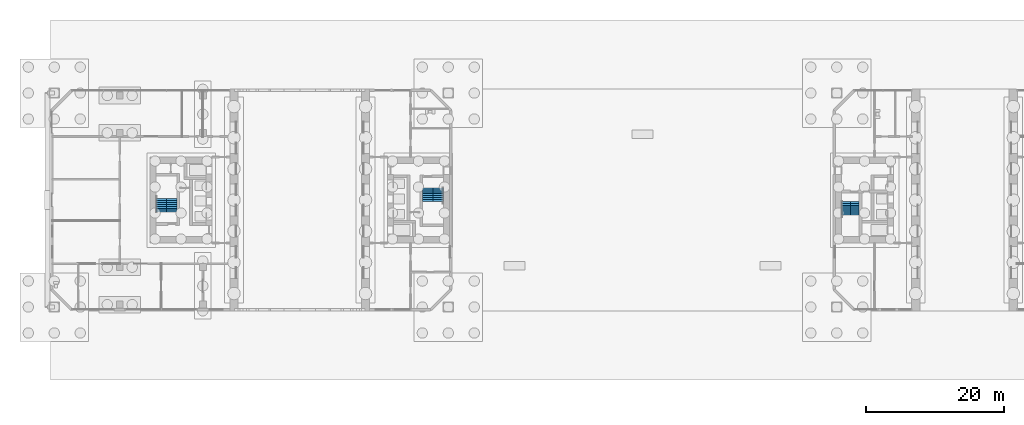
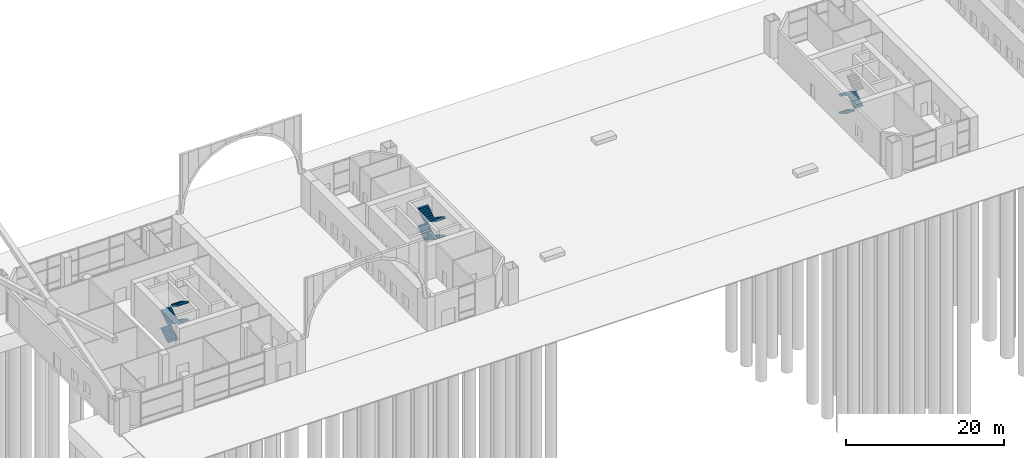
# One storey, part 21 of 26: 11 stair flights, 3 elements without a shape of their own.
"""IFC4 building model written with IfcOpenShell, lengths in metres."""

from ifc_helpers import new_model, si_unit, direction, frame, origin, place, context, subcontext, project, spatial, faceted_brep, material, type_object, element, aggregate, save


model = new_model("IFC4")

# Units and contexts
model_context = context("Model", 3, precision=1e-05, world=origin(), true_north=direction((0.0, 1.0)))
body_context = subcontext(model_context, "Body", "Model", "MODEL_VIEW")
ifc_project = project(units=[si_unit("LENGTHUNIT", "METRE"), si_unit("AREAUNIT", "SQUARE_METRE"), si_unit("VOLUMEUNIT", "CUBIC_METRE"), si_unit("PLANEANGLEUNIT", "RADIAN"), si_unit("MASSUNIT", "GRAM", prefix="KILO")], contexts=[model_context])

# Site, building, storey
site_placement = place(None, origin())
site = spatial("IfcSite", under=ifc_project, at=site_placement, CompositionType="ELEMENT")
building_placement = place(site_placement, origin())
building = spatial("IfcBuilding", under=site, at=building_placement, Name="Tuart Gate Housing", CompositionType="ELEMENT")
storey_placement = place(building_placement, origin())
storey = spatial("IfcBuildingStorey", under=building, at=storey_placement, Name="L00", CompositionType="ELEMENT", Elevation=0.0)

# Stair, stair flights
ifc_material_1 = material(Name="Concrete C40", Category="concrete")
stair_type_1 = type_object("IfcStairType", Name="Core stair 1250", PredefinedType="HALF_TURN_STAIR", material=ifc_material_1)
stair_1_placement = place(storey_placement, origin())
stair_1 = element("IfcStair", 1, at=stair_1_placement, inside=storey, type_object=stair_type_1, Name="Stair SB1", PredefinedType="HALF_TURN_STAIR")
ifc_material_2 = material(Name="Concrete C40", Category="concrete")
stair_flight_type_1 = type_object("IfcStairFlightType", Name="Stair flight 1250, 8 risers 172 x 280", PredefinedType="STRAIGHT", material=ifc_material_2)
stair_flight_1_placement = place(storey_placement, frame((132.885009765625, 69.800048828125, 0.0), z_axis=(0.0, 0.0, 1.0), x_axis=(0.0, -1.0, 0.0)))
stair_flight_1 = element("IfcStairFlight", 2, at=stair_flight_1_placement, type_object=stair_flight_type_1, Name="SB1 flight 1", NumberOfRisers=8, NumberOfTreads=7, PredefinedType="STRAIGHT", RiserHeight=0.171875, TreadLength=0.28, context=body_context, shape_type="Brep", body=[
    faceted_brep([(0.0, 0.625, 0.0), (0.0, 0.625, 0.171875), (0.280029296875, 0.625, 0.171875), (0.280029296875, 0.625, 0.34375), (0.56005859375, 0.625, 0.34375), (0.56005859375, 0.625, 0.515625), (0.840087890625, 0.625, 0.515625), (0.840087890625, 0.625, 0.6875), (1.1201171875, 0.625, 0.6875), (1.1201171875, 0.625, 0.859375), (1.39990234375, 0.625, 0.859375), (1.39990234375, 0.625, 1.03125), (1.679931640625, 0.625, 1.03125), (1.679931640625, 0.625, 1.203125), (1.9599609375, 0.625, 1.203125), (1.9599609375, 0.625, 1.02734375), (0.28662109375, 0.625, 0.0), (0.28662109375, -0.625, 0.0), (1.9599609375, -0.625, 1.02734375), (1.9599609375, -0.625, 1.203125), (1.679931640625, -0.625, 1.203125), (1.679931640625, -0.625, 1.03125), (1.39990234375, -0.625, 1.03125), (1.39990234375, -0.625, 0.859375), (1.1201171875, -0.625, 0.859375), (1.1201171875, -0.625, 0.6875), (0.840087890625, -0.625, 0.6875), (0.840087890625, -0.625, 0.515625), (0.56005859375, -0.625, 0.515625), (0.56005859375, -0.625, 0.34375), (0.280029296875, -0.625, 0.34375), (0.280029296875, -0.625, 0.171875), (0.0, -0.625, 0.171875), (0.0, -0.625, 0.0), (1.9599609375, 0.0, 1.02734375), (0.28662109375, 0.0, 0.0), (1.9599609375, 0.0, 1.203125), (1.679931640625, 0.0, 1.203125), (1.679931640625, 0.0, 1.03125), (1.39990234375, 0.0, 1.03125), (1.39990234375, 0.0, 0.859375), (1.1201171875, 0.0, 0.859375), (1.1201171875, 0.0, 0.6875), (0.840087890625, 0.0, 0.6875), (0.840087890625, 0.0, 0.515625), (0.56005859375, 0.0, 0.515625), (0.56005859375, 0.0, 0.34375), (0.280029296875, 0.0, 0.34375), (0.280029296875, 0.0, 0.171875), (0.0, 0.0, 0.171875), (0.0, 0.0, 0.0)], [[[0, 1, 2, 3, 4, 5, 6, 7, 8, 9, 10, 11, 12, 13, 14, 15, 16]], [[17, 18, 19, 20, 21, 22, 23, 24, 25, 26, 27, 28, 29, 30, 31, 32, 33]], [[16, 15, 34, 35]], [[35, 34, 18, 17]], [[15, 14, 36, 34]], [[34, 36, 19, 18]], [[14, 13, 37, 36]], [[36, 37, 20, 19]], [[13, 12, 38, 37]], [[37, 38, 21, 20]], [[12, 11, 39, 38]], [[38, 39, 22, 21]], [[11, 10, 40, 39]], [[39, 40, 23, 22]], [[10, 9, 41, 40]], [[40, 41, 24, 23]], [[9, 8, 42, 41]], [[41, 42, 25, 24]], [[8, 7, 43, 42]], [[42, 43, 26, 25]], [[7, 6, 44, 43]], [[43, 44, 27, 26]], [[6, 5, 45, 44]], [[44, 45, 28, 27]], [[5, 4, 46, 45]], [[45, 46, 29, 28]], [[4, 3, 47, 46]], [[46, 47, 30, 29]], [[3, 2, 48, 47]], [[47, 48, 31, 30]], [[2, 1, 49, 48]], [[48, 49, 32, 31]], [[1, 0, 50, 49]], [[49, 50, 33, 32]], [[0, 16, 35, 50]], [[50, 35, 17, 33]]]),
])
stair_flight_2_placement = place(storey_placement, frame((134.135009765625, 67.840087890625, 1.375), z_axis=(0.0, 0.0, 1.0), x_axis=(0.0, 1.0, 0.0)))
stair_flight_2 = element("IfcStairFlight", 3, at=stair_flight_2_placement, type_object=stair_flight_type_1, Name="SB1 flight 2", NumberOfRisers=8, NumberOfTreads=7, PredefinedType="STRAIGHT", RiserHeight=0.171875, TreadLength=0.28, context=body_context, shape_type="Brep", body=[
    faceted_brep([(0.0, 0.625, 0.0), (0.0, 0.625, 0.171875), (0.280029296875, 0.625, 0.171875), (0.280029296875, 0.625, 0.34375), (0.56005859375, 0.625, 0.34375), (0.56005859375, 0.625, 0.515625), (0.840087890625, 0.625, 0.515625), (0.840087890625, 0.625, 0.6875), (1.1201171875, 0.625, 0.6875), (1.1201171875, 0.625, 0.859375), (1.39990234375, 0.625, 0.859375), (1.39990234375, 0.625, 1.03125), (1.679931640625, 0.625, 1.03125), (1.679931640625, 0.625, 1.203125), (1.9599609375, 0.625, 1.203125), (1.9599609375, 0.625, 1.02734375), (0.28662109375, 0.625, 0.0), (0.28662109375, -0.625, 0.0), (1.9599609375, -0.625, 1.02734375), (1.9599609375, -0.625, 1.203125), (1.679931640625, -0.625, 1.203125), (1.679931640625, -0.625, 1.03125), (1.39990234375, -0.625, 1.03125), (1.39990234375, -0.625, 0.859375), (1.1201171875, -0.625, 0.859375), (1.1201171875, -0.625, 0.6875), (0.840087890625, -0.625, 0.6875), (0.840087890625, -0.625, 0.515625), (0.56005859375, -0.625, 0.515625), (0.56005859375, -0.625, 0.34375), (0.280029296875, -0.625, 0.34375), (0.280029296875, -0.625, 0.171875), (0.0, -0.625, 0.171875), (0.0, -0.625, 0.0), (1.9599609375, 0.0, 1.02734375), (0.28662109375, 0.0, 0.0), (1.9599609375, 0.0, 1.203125), (1.679931640625, 0.0, 1.203125), (1.679931640625, 0.0, 1.03125), (1.39990234375, 0.0, 1.03125), (1.39990234375, 0.0, 0.859375), (1.1201171875, 0.0, 0.859375), (1.1201171875, 0.0, 0.6875), (0.840087890625, 0.0, 0.6875), (0.840087890625, 0.0, 0.515625), (0.56005859375, 0.0, 0.515625), (0.56005859375, 0.0, 0.34375), (0.280029296875, 0.0, 0.34375), (0.280029296875, 0.0, 0.171875), (0.0, 0.0, 0.171875), (0.0, 0.0, 0.0)], [[[0, 1, 2, 3, 4, 5, 6, 7, 8, 9, 10, 11, 12, 13, 14, 15, 16]], [[17, 18, 19, 20, 21, 22, 23, 24, 25, 26, 27, 28, 29, 30, 31, 32, 33]], [[16, 15, 34, 35]], [[35, 34, 18, 17]], [[15, 14, 36, 34]], [[34, 36, 19, 18]], [[14, 13, 37, 36]], [[36, 37, 20, 19]], [[13, 12, 38, 37]], [[37, 38, 21, 20]], [[12, 11, 39, 38]], [[38, 39, 22, 21]], [[11, 10, 40, 39]], [[39, 40, 23, 22]], [[10, 9, 41, 40]], [[40, 41, 24, 23]], [[9, 8, 42, 41]], [[41, 42, 25, 24]], [[8, 7, 43, 42]], [[42, 43, 26, 25]], [[7, 6, 44, 43]], [[43, 44, 27, 26]], [[6, 5, 45, 44]], [[44, 45, 28, 27]], [[5, 4, 46, 45]], [[45, 46, 29, 28]], [[4, 3, 47, 46]], [[46, 47, 30, 29]], [[3, 2, 48, 47]], [[47, 48, 31, 30]], [[2, 1, 49, 48]], [[48, 49, 32, 31]], [[1, 0, 50, 49]], [[49, 50, 33, 32]], [[0, 16, 35, 50]], [[50, 35, 17, 33]]]),
])
stair_flight_3_placement = place(storey_placement, frame((132.885009765625, 69.800048828125, 2.75), z_axis=(0.0, 0.0, 1.0), x_axis=(0.0, -1.0, 0.0)))
stair_flight_3 = element("IfcStairFlight", 4, at=stair_flight_3_placement, type_object=stair_flight_type_1, Name="SB1 flight 3", NumberOfRisers=8, NumberOfTreads=7, PredefinedType="STRAIGHT", RiserHeight=0.171875, TreadLength=0.28, context=body_context, shape_type="Brep", body=[
    faceted_brep([(0.0, 0.625, 0.0), (0.0, 0.625, 0.171875), (0.280029296875, 0.625, 0.171875), (0.280029296875, 0.625, 0.34375), (0.56005859375, 0.625, 0.34375), (0.56005859375, 0.625, 0.515625), (0.840087890625, 0.625, 0.515625), (0.840087890625, 0.625, 0.6875), (1.1201171875, 0.625, 0.6875), (1.1201171875, 0.625, 0.859375), (1.39990234375, 0.625, 0.859375), (1.39990234375, 0.625, 1.03125), (1.679931640625, 0.625, 1.03125), (1.679931640625, 0.625, 1.203125), (1.9599609375, 0.625, 1.203125), (1.9599609375, 0.625, 1.02734375), (0.28662109375, 0.625, 0.0), (0.28662109375, -0.625, 0.0), (1.9599609375, -0.625, 1.02734375), (1.9599609375, -0.625, 1.203125), (1.679931640625, -0.625, 1.203125), (1.679931640625, -0.625, 1.03125), (1.39990234375, -0.625, 1.03125), (1.39990234375, -0.625, 0.859375), (1.1201171875, -0.625, 0.859375), (1.1201171875, -0.625, 0.6875), (0.840087890625, -0.625, 0.6875), (0.840087890625, -0.625, 0.515625), (0.56005859375, -0.625, 0.515625), (0.56005859375, -0.625, 0.34375), (0.280029296875, -0.625, 0.34375), (0.280029296875, -0.625, 0.171875), (0.0, -0.625, 0.171875), (0.0, -0.625, 0.0), (1.9599609375, 0.0, 1.02734375), (0.28662109375, 0.0, 0.0), (1.9599609375, 0.0, 1.203125), (1.679931640625, 0.0, 1.203125), (1.679931640625, 0.0, 1.03125), (1.39990234375, 0.0, 1.03125), (1.39990234375, 0.0, 0.859375), (1.1201171875, 0.0, 0.859375), (1.1201171875, 0.0, 0.6875), (0.840087890625, 0.0, 0.6875), (0.840087890625, 0.0, 0.515625), (0.56005859375, 0.0, 0.515625), (0.56005859375, 0.0, 0.34375), (0.280029296875, 0.0, 0.34375), (0.280029296875, 0.0, 0.171875), (0.0, 0.0, 0.171875), (0.0, 0.0, 0.0)], [[[0, 1, 2, 3, 4, 5, 6, 7, 8, 9, 10, 11, 12, 13, 14, 15, 16]], [[17, 18, 19, 20, 21, 22, 23, 24, 25, 26, 27, 28, 29, 30, 31, 32, 33]], [[16, 15, 34, 35]], [[35, 34, 18, 17]], [[15, 14, 36, 34]], [[34, 36, 19, 18]], [[14, 13, 37, 36]], [[36, 37, 20, 19]], [[13, 12, 38, 37]], [[37, 38, 21, 20]], [[12, 11, 39, 38]], [[38, 39, 22, 21]], [[11, 10, 40, 39]], [[39, 40, 23, 22]], [[10, 9, 41, 40]], [[40, 41, 24, 23]], [[9, 8, 42, 41]], [[41, 42, 25, 24]], [[8, 7, 43, 42]], [[42, 43, 26, 25]], [[7, 6, 44, 43]], [[43, 44, 27, 26]], [[6, 5, 45, 44]], [[44, 45, 28, 27]], [[5, 4, 46, 45]], [[45, 46, 29, 28]], [[4, 3, 47, 46]], [[46, 47, 30, 29]], [[3, 2, 48, 47]], [[47, 48, 31, 30]], [[2, 1, 49, 48]], [[48, 49, 32, 31]], [[1, 0, 50, 49]], [[49, 50, 33, 32]], [[0, 16, 35, 50]], [[50, 35, 17, 33]]]),
])
aggregate(stair_1, [stair_flight_1, stair_flight_2, stair_flight_3])

ifc_material_3 = material(Name="Concrete C40", Category="concrete")
stair_type_2 = type_object("IfcStairType", Name="Core stair 1500", PredefinedType="HALF_TURN_STAIR", material=ifc_material_3)
stair_2_placement = place(storey_placement, origin())
stair_2 = element("IfcStair", 5, at=stair_2_placement, inside=storey, type_object=stair_type_2, Name="Stair SA1", PredefinedType="HALF_TURN_STAIR")
ifc_material_4 = material(Name="Concrete C40", Category="concrete")
stair_flight_type_2 = type_object("IfcStairFlightType", Name="Stair flight 1500, 8 risers 172 x 280", PredefinedType="STRAIGHT", material=ifc_material_4)
stair_flight_4_placement = place(storey_placement, frame((73.989990234375, 71.75, 0.0), z_axis=(0.0, 0.0, 1.0), x_axis=(0.0, -1.0, 0.0)))
stair_flight_4 = element("IfcStairFlight", 6, at=stair_flight_4_placement, type_object=stair_flight_type_2, Name="SA1 flight 1", NumberOfRisers=8, NumberOfTreads=7, PredefinedType="STRAIGHT", RiserHeight=0.171875, TreadLength=0.28, context=body_context, shape_type="Brep", body=[
    faceted_brep([(0.0, 0.75, 0.0), (0.0, 0.75, 0.171875), (0.280029296875, 0.75, 0.171875), (0.280029296875, 0.75, 0.34375), (0.56005859375, 0.75, 0.34375), (0.56005859375, 0.75, 0.515625), (0.840087890625, 0.75, 0.515625), (0.840087890625, 0.75, 0.6875), (1.1201171875, 0.75, 0.6875), (1.1201171875, 0.75, 0.859375), (1.39990234375, 0.75, 0.859375), (1.39990234375, 0.75, 1.03125), (1.679931640625, 0.75, 1.03125), (1.679931640625, 0.75, 1.203125), (1.9599609375, 0.75, 1.203125), (1.9599609375, 0.75, 1.02734375), (0.28662109375, 0.75, 0.0), (0.28662109375, -0.75, 0.0), (1.9599609375, -0.75, 1.02734375), (1.9599609375, -0.75, 1.203125), (1.679931640625, -0.75, 1.203125), (1.679931640625, -0.75, 1.03125), (1.39990234375, -0.75, 1.03125), (1.39990234375, -0.75, 0.859375), (1.1201171875, -0.75, 0.859375), (1.1201171875, -0.75, 0.6875), (0.840087890625, -0.75, 0.6875), (0.840087890625, -0.75, 0.515625), (0.56005859375, -0.75, 0.515625), (0.56005859375, -0.75, 0.34375), (0.280029296875, -0.75, 0.34375), (0.280029296875, -0.75, 0.171875), (0.0, -0.75, 0.171875), (0.0, -0.75, 0.0), (1.9599609375, 0.0, 1.02734375), (0.28662109375, 0.0, 0.0), (1.9599609375, 0.0, 1.203125), (1.679931640625, 0.0, 1.203125), (1.679931640625, 0.0, 1.03125), (1.39990234375, 0.0, 1.03125), (1.39990234375, 0.0, 0.859375), (1.1201171875, 0.0, 0.859375), (1.1201171875, 0.0, 0.6875), (0.840087890625, 0.0, 0.6875), (0.840087890625, 0.0, 0.515625), (0.56005859375, 0.0, 0.515625), (0.56005859375, 0.0, 0.34375), (0.280029296875, 0.0, 0.34375), (0.280029296875, 0.0, 0.171875), (0.0, 0.0, 0.171875), (0.0, 0.0, 0.0)], [[[0, 1, 2, 3, 4, 5, 6, 7, 8, 9, 10, 11, 12, 13, 14, 15, 16]], [[17, 18, 19, 20, 21, 22, 23, 24, 25, 26, 27, 28, 29, 30, 31, 32, 33]], [[16, 15, 34, 35]], [[35, 34, 18, 17]], [[15, 14, 36, 34]], [[34, 36, 19, 18]], [[14, 13, 37, 36]], [[36, 37, 20, 19]], [[13, 12, 38, 37]], [[37, 38, 21, 20]], [[12, 11, 39, 38]], [[38, 39, 22, 21]], [[11, 10, 40, 39]], [[39, 40, 23, 22]], [[10, 9, 41, 40]], [[40, 41, 24, 23]], [[9, 8, 42, 41]], [[41, 42, 25, 24]], [[8, 7, 43, 42]], [[42, 43, 26, 25]], [[7, 6, 44, 43]], [[43, 44, 27, 26]], [[6, 5, 45, 44]], [[44, 45, 28, 27]], [[5, 4, 46, 45]], [[45, 46, 29, 28]], [[4, 3, 47, 46]], [[46, 47, 30, 29]], [[3, 2, 48, 47]], [[47, 48, 31, 30]], [[2, 1, 49, 48]], [[48, 49, 32, 31]], [[1, 0, 50, 49]], [[49, 50, 33, 32]], [[0, 16, 35, 50]], [[50, 35, 17, 33]]]),
])
stair_flight_5_placement = place(storey_placement, frame((72.489990234375, 69.7900390625, 1.375), z_axis=(0.0, 0.0, 1.0), x_axis=(0.0, 1.0, 0.0)))
stair_flight_5 = element("IfcStairFlight", 7, at=stair_flight_5_placement, type_object=stair_flight_type_2, Name="SA1 flight 2", NumberOfRisers=8, NumberOfTreads=7, PredefinedType="STRAIGHT", RiserHeight=0.171875, TreadLength=0.28, context=body_context, shape_type="Brep", body=[
    faceted_brep([(0.0, 0.75, 0.0), (0.0, 0.75, 0.171875), (0.280029296875, 0.75, 0.171875), (0.280029296875, 0.75, 0.34375), (0.56005859375, 0.75, 0.34375), (0.56005859375, 0.75, 0.515625), (0.840087890625, 0.75, 0.515625), (0.840087890625, 0.75, 0.6875), (1.1201171875, 0.75, 0.6875), (1.1201171875, 0.75, 0.859375), (1.39990234375, 0.75, 0.859375), (1.39990234375, 0.75, 1.03125), (1.679931640625, 0.75, 1.03125), (1.679931640625, 0.75, 1.203125), (1.9599609375, 0.75, 1.203125), (1.9599609375, 0.75, 1.02734375), (0.28662109375, 0.75, 0.0), (0.28662109375, -0.75, 0.0), (1.9599609375, -0.75, 1.02734375), (1.9599609375, -0.75, 1.203125), (1.679931640625, -0.75, 1.203125), (1.679931640625, -0.75, 1.03125), (1.39990234375, -0.75, 1.03125), (1.39990234375, -0.75, 0.859375), (1.1201171875, -0.75, 0.859375), (1.1201171875, -0.75, 0.6875), (0.840087890625, -0.75, 0.6875), (0.840087890625, -0.75, 0.515625), (0.56005859375, -0.75, 0.515625), (0.56005859375, -0.75, 0.34375), (0.280029296875, -0.75, 0.34375), (0.280029296875, -0.75, 0.171875), (0.0, -0.75, 0.171875), (0.0, -0.75, 0.0), (1.9599609375, 0.0, 1.02734375), (0.28662109375, 0.0, 0.0), (1.9599609375, 0.0, 1.203125), (1.679931640625, 0.0, 1.203125), (1.679931640625, 0.0, 1.03125), (1.39990234375, 0.0, 1.03125), (1.39990234375, 0.0, 0.859375), (1.1201171875, 0.0, 0.859375), (1.1201171875, 0.0, 0.6875), (0.840087890625, 0.0, 0.6875), (0.840087890625, 0.0, 0.515625), (0.56005859375, 0.0, 0.515625), (0.56005859375, 0.0, 0.34375), (0.280029296875, 0.0, 0.34375), (0.280029296875, 0.0, 0.171875), (0.0, 0.0, 0.171875), (0.0, 0.0, 0.0)], [[[0, 1, 2, 3, 4, 5, 6, 7, 8, 9, 10, 11, 12, 13, 14, 15, 16]], [[17, 18, 19, 20, 21, 22, 23, 24, 25, 26, 27, 28, 29, 30, 31, 32, 33]], [[16, 15, 34, 35]], [[35, 34, 18, 17]], [[15, 14, 36, 34]], [[34, 36, 19, 18]], [[14, 13, 37, 36]], [[36, 37, 20, 19]], [[13, 12, 38, 37]], [[37, 38, 21, 20]], [[12, 11, 39, 38]], [[38, 39, 22, 21]], [[11, 10, 40, 39]], [[39, 40, 23, 22]], [[10, 9, 41, 40]], [[40, 41, 24, 23]], [[9, 8, 42, 41]], [[41, 42, 25, 24]], [[8, 7, 43, 42]], [[42, 43, 26, 25]], [[7, 6, 44, 43]], [[43, 44, 27, 26]], [[6, 5, 45, 44]], [[44, 45, 28, 27]], [[5, 4, 46, 45]], [[45, 46, 29, 28]], [[4, 3, 47, 46]], [[46, 47, 30, 29]], [[3, 2, 48, 47]], [[47, 48, 31, 30]], [[2, 1, 49, 48]], [[48, 49, 32, 31]], [[1, 0, 50, 49]], [[49, 50, 33, 32]], [[0, 16, 35, 50]], [[50, 35, 17, 33]]]),
])
stair_flight_6_placement = place(storey_placement, frame((73.989990234375, 71.75, 2.75), z_axis=(0.0, 0.0, 1.0), x_axis=(0.0, -1.0, 0.0)))
stair_flight_6 = element("IfcStairFlight", 8, at=stair_flight_6_placement, type_object=stair_flight_type_2, Name="SA1 flight 3", NumberOfRisers=8, NumberOfTreads=7, PredefinedType="STRAIGHT", RiserHeight=0.171875, TreadLength=0.28, context=body_context, shape_type="Brep", body=[
    faceted_brep([(0.0, 0.75, 0.0), (0.0, 0.75, 0.171875), (0.280029296875, 0.75, 0.171875), (0.280029296875, 0.75, 0.34375), (0.56005859375, 0.75, 0.34375), (0.56005859375, 0.75, 0.515625), (0.840087890625, 0.75, 0.515625), (0.840087890625, 0.75, 0.6875), (1.1201171875, 0.75, 0.6875), (1.1201171875, 0.75, 0.859375), (1.39990234375, 0.75, 0.859375), (1.39990234375, 0.75, 1.03125), (1.679931640625, 0.75, 1.03125), (1.679931640625, 0.75, 1.203125), (1.9599609375, 0.75, 1.203125), (1.9599609375, 0.75, 1.02734375), (0.28662109375, 0.75, 0.0), (0.28662109375, -0.75, 0.0), (1.9599609375, -0.75, 1.02734375), (1.9599609375, -0.75, 1.203125), (1.679931640625, -0.75, 1.203125), (1.679931640625, -0.75, 1.03125), (1.39990234375, -0.75, 1.03125), (1.39990234375, -0.75, 0.859375), (1.1201171875, -0.75, 0.859375), (1.1201171875, -0.75, 0.6875), (0.840087890625, -0.75, 0.6875), (0.840087890625, -0.75, 0.515625), (0.56005859375, -0.75, 0.515625), (0.56005859375, -0.75, 0.34375), (0.280029296875, -0.75, 0.34375), (0.280029296875, -0.75, 0.171875), (0.0, -0.75, 0.171875), (0.0, -0.75, 0.0), (1.9599609375, 0.0, 1.02734375), (0.28662109375, 0.0, 0.0), (1.9599609375, 0.0, 1.203125), (1.679931640625, 0.0, 1.203125), (1.679931640625, 0.0, 1.03125), (1.39990234375, 0.0, 1.03125), (1.39990234375, 0.0, 0.859375), (1.1201171875, 0.0, 0.859375), (1.1201171875, 0.0, 0.6875), (0.840087890625, 0.0, 0.6875), (0.840087890625, 0.0, 0.515625), (0.56005859375, 0.0, 0.515625), (0.56005859375, 0.0, 0.34375), (0.280029296875, 0.0, 0.34375), (0.280029296875, 0.0, 0.171875), (0.0, 0.0, 0.171875), (0.0, 0.0, 0.0)], [[[0, 1, 2, 3, 4, 5, 6, 7, 8, 9, 10, 11, 12, 13, 14, 15, 16]], [[17, 18, 19, 20, 21, 22, 23, 24, 25, 26, 27, 28, 29, 30, 31, 32, 33]], [[16, 15, 34, 35]], [[35, 34, 18, 17]], [[15, 14, 36, 34]], [[34, 36, 19, 18]], [[14, 13, 37, 36]], [[36, 37, 20, 19]], [[13, 12, 38, 37]], [[37, 38, 21, 20]], [[12, 11, 39, 38]], [[38, 39, 22, 21]], [[11, 10, 40, 39]], [[39, 40, 23, 22]], [[10, 9, 41, 40]], [[40, 41, 24, 23]], [[9, 8, 42, 41]], [[41, 42, 25, 24]], [[8, 7, 43, 42]], [[42, 43, 26, 25]], [[7, 6, 44, 43]], [[43, 44, 27, 26]], [[6, 5, 45, 44]], [[44, 45, 28, 27]], [[5, 4, 46, 45]], [[45, 46, 29, 28]], [[4, 3, 47, 46]], [[46, 47, 30, 29]], [[3, 2, 48, 47]], [[47, 48, 31, 30]], [[2, 1, 49, 48]], [[48, 49, 32, 31]], [[1, 0, 50, 49]], [[49, 50, 33, 32]], [[0, 16, 35, 50]], [[50, 35, 17, 33]]]),
])
stair_flight_7_placement = place(storey_placement, frame((72.489990234375, 69.7900390625, 4.125), z_axis=(0.0, 0.0, 1.0), x_axis=(0.0, 1.0, 0.0)))
stair_flight_7 = element("IfcStairFlight", 9, at=stair_flight_7_placement, type_object=stair_flight_type_2, Name="SA1 flight 4", NumberOfRisers=8, NumberOfTreads=7, PredefinedType="STRAIGHT", RiserHeight=0.171875, TreadLength=0.28, context=body_context, shape_type="Brep", body=[
    faceted_brep([(0.0, 0.75, 0.0), (0.0, 0.75, 0.171875), (0.280029296875, 0.75, 0.171875), (0.280029296875, 0.75, 0.34375), (0.56005859375, 0.75, 0.34375), (0.56005859375, 0.75, 0.515625), (0.840087890625, 0.75, 0.515625), (0.840087890625, 0.75, 0.6875), (1.1201171875, 0.75, 0.6875), (1.1201171875, 0.75, 0.859375), (1.39990234375, 0.75, 0.859375), (1.39990234375, 0.75, 1.03125), (1.679931640625, 0.75, 1.03125), (1.679931640625, 0.75, 1.203125), (1.9599609375, 0.75, 1.203125), (1.9599609375, 0.75, 1.02734375), (0.28662109375, 0.75, 0.0), (0.28662109375, -0.75, 0.0), (1.9599609375, -0.75, 1.02734375), (1.9599609375, -0.75, 1.203125), (1.679931640625, -0.75, 1.203125), (1.679931640625, -0.75, 1.03125), (1.39990234375, -0.75, 1.03125), (1.39990234375, -0.75, 0.859375), (1.1201171875, -0.75, 0.859375), (1.1201171875, -0.75, 0.6875), (0.840087890625, -0.75, 0.6875), (0.840087890625, -0.75, 0.515625), (0.56005859375, -0.75, 0.515625), (0.56005859375, -0.75, 0.34375), (0.280029296875, -0.75, 0.34375), (0.280029296875, -0.75, 0.171875), (0.0, -0.75, 0.171875), (0.0, -0.75, 0.0), (1.9599609375, 0.0, 1.02734375), (0.28662109375, 0.0, 0.0), (1.9599609375, 0.0, 1.203125), (1.679931640625, 0.0, 1.203125), (1.679931640625, 0.0, 1.03125), (1.39990234375, 0.0, 1.03125), (1.39990234375, 0.0, 0.859375), (1.1201171875, 0.0, 0.859375), (1.1201171875, 0.0, 0.6875), (0.840087890625, 0.0, 0.6875), (0.840087890625, 0.0, 0.515625), (0.56005859375, 0.0, 0.515625), (0.56005859375, 0.0, 0.34375), (0.280029296875, 0.0, 0.34375), (0.280029296875, 0.0, 0.171875), (0.0, 0.0, 0.171875), (0.0, 0.0, 0.0)], [[[0, 1, 2, 3, 4, 5, 6, 7, 8, 9, 10, 11, 12, 13, 14, 15, 16]], [[17, 18, 19, 20, 21, 22, 23, 24, 25, 26, 27, 28, 29, 30, 31, 32, 33]], [[16, 15, 34, 35]], [[35, 34, 18, 17]], [[15, 14, 36, 34]], [[34, 36, 19, 18]], [[14, 13, 37, 36]], [[36, 37, 20, 19]], [[13, 12, 38, 37]], [[37, 38, 21, 20]], [[12, 11, 39, 38]], [[38, 39, 22, 21]], [[11, 10, 40, 39]], [[39, 40, 23, 22]], [[10, 9, 41, 40]], [[40, 41, 24, 23]], [[9, 8, 42, 41]], [[41, 42, 25, 24]], [[8, 7, 43, 42]], [[42, 43, 26, 25]], [[7, 6, 44, 43]], [[43, 44, 27, 26]], [[6, 5, 45, 44]], [[44, 45, 28, 27]], [[5, 4, 46, 45]], [[45, 46, 29, 28]], [[4, 3, 47, 46]], [[46, 47, 30, 29]], [[3, 2, 48, 47]], [[47, 48, 31, 30]], [[2, 1, 49, 48]], [[48, 49, 32, 31]], [[1, 0, 50, 49]], [[49, 50, 33, 32]], [[0, 16, 35, 50]], [[50, 35, 17, 33]]]),
])
aggregate(stair_2, [stair_flight_4, stair_flight_5, stair_flight_6, stair_flight_7])

stair_3_placement = place(storey_placement, origin())
stair_3 = element("IfcStair", 10, at=stair_3_placement, inside=storey, type_object=stair_type_2, Name="Stair SA2", PredefinedType="HALF_TURN_STAIR")
stair_flight_8_placement = place(storey_placement, frame((34.010009765625, 68.25, 0.0), z_axis=(0.0, 0.0, 1.0), x_axis=(0.0, 1.0, 0.0)))
stair_flight_8 = element("IfcStairFlight", 11, at=stair_flight_8_placement, type_object=stair_flight_type_2, Name="SA2 flight 1", NumberOfRisers=8, NumberOfTreads=7, PredefinedType="STRAIGHT", RiserHeight=0.171875, TreadLength=0.28, context=body_context, shape_type="Brep", body=[
    faceted_brep([(0.0, 0.75, 0.0), (0.0, 0.75, 0.171875), (0.280029296875, 0.75, 0.171875), (0.280029296875, 0.75, 0.34375), (0.56005859375, 0.75, 0.34375), (0.56005859375, 0.75, 0.515625), (0.840087890625, 0.75, 0.515625), (0.840087890625, 0.75, 0.6875), (1.1201171875, 0.75, 0.6875), (1.1201171875, 0.75, 0.859375), (1.39990234375, 0.75, 0.859375), (1.39990234375, 0.75, 1.03125), (1.679931640625, 0.75, 1.03125), (1.679931640625, 0.75, 1.203125), (1.9599609375, 0.75, 1.203125), (1.9599609375, 0.75, 1.02734375), (0.28662109375, 0.75, 0.0), (0.28662109375, -0.75, 0.0), (1.9599609375, -0.75, 1.02734375), (1.9599609375, -0.75, 1.203125), (1.679931640625, -0.75, 1.203125), (1.679931640625, -0.75, 1.03125), (1.39990234375, -0.75, 1.03125), (1.39990234375, -0.75, 0.859375), (1.1201171875, -0.75, 0.859375), (1.1201171875, -0.75, 0.6875), (0.840087890625, -0.75, 0.6875), (0.840087890625, -0.75, 0.515625), (0.56005859375, -0.75, 0.515625), (0.56005859375, -0.75, 0.34375), (0.280029296875, -0.75, 0.34375), (0.280029296875, -0.75, 0.171875), (0.0, -0.75, 0.171875), (0.0, -0.75, 0.0), (1.9599609375, 0.0, 1.02734375), (0.28662109375, 0.0, 0.0), (1.9599609375, 0.0, 1.203125), (1.679931640625, 0.0, 1.203125), (1.679931640625, 0.0, 1.03125), (1.39990234375, 0.0, 1.03125), (1.39990234375, 0.0, 0.859375), (1.1201171875, 0.0, 0.859375), (1.1201171875, 0.0, 0.6875), (0.840087890625, 0.0, 0.6875), (0.840087890625, 0.0, 0.515625), (0.56005859375, 0.0, 0.515625), (0.56005859375, 0.0, 0.34375), (0.280029296875, 0.0, 0.34375), (0.280029296875, 0.0, 0.171875), (0.0, 0.0, 0.171875), (0.0, 0.0, 0.0)], [[[0, 1, 2, 3, 4, 5, 6, 7, 8, 9, 10, 11, 12, 13, 14, 15, 16]], [[17, 18, 19, 20, 21, 22, 23, 24, 25, 26, 27, 28, 29, 30, 31, 32, 33]], [[16, 15, 34, 35]], [[35, 34, 18, 17]], [[15, 14, 36, 34]], [[34, 36, 19, 18]], [[14, 13, 37, 36]], [[36, 37, 20, 19]], [[13, 12, 38, 37]], [[37, 38, 21, 20]], [[12, 11, 39, 38]], [[38, 39, 22, 21]], [[11, 10, 40, 39]], [[39, 40, 23, 22]], [[10, 9, 41, 40]], [[40, 41, 24, 23]], [[9, 8, 42, 41]], [[41, 42, 25, 24]], [[8, 7, 43, 42]], [[42, 43, 26, 25]], [[7, 6, 44, 43]], [[43, 44, 27, 26]], [[6, 5, 45, 44]], [[44, 45, 28, 27]], [[5, 4, 46, 45]], [[45, 46, 29, 28]], [[4, 3, 47, 46]], [[46, 47, 30, 29]], [[3, 2, 48, 47]], [[47, 48, 31, 30]], [[2, 1, 49, 48]], [[48, 49, 32, 31]], [[1, 0, 50, 49]], [[49, 50, 33, 32]], [[0, 16, 35, 50]], [[50, 35, 17, 33]]]),
])
stair_flight_9_placement = place(storey_placement, frame((35.510009765625, 70.2099609375, 1.375), z_axis=(0.0, 0.0, 1.0), x_axis=(0.0, -1.0, 0.0)))
stair_flight_9 = element("IfcStairFlight", 12, at=stair_flight_9_placement, type_object=stair_flight_type_2, Name="SA2 flight 2", NumberOfRisers=8, NumberOfTreads=7, PredefinedType="STRAIGHT", RiserHeight=0.171875, TreadLength=0.28, context=body_context, shape_type="Brep", body=[
    faceted_brep([(0.0, 0.75, 0.0), (0.0, 0.75, 0.171875), (0.280029296875, 0.75, 0.171875), (0.280029296875, 0.75, 0.34375), (0.56005859375, 0.75, 0.34375), (0.56005859375, 0.75, 0.515625), (0.840087890625, 0.75, 0.515625), (0.840087890625, 0.75, 0.6875), (1.1201171875, 0.75, 0.6875), (1.1201171875, 0.75, 0.859375), (1.39990234375, 0.75, 0.859375), (1.39990234375, 0.75, 1.03125), (1.679931640625, 0.75, 1.03125), (1.679931640625, 0.75, 1.203125), (1.9599609375, 0.75, 1.203125), (1.9599609375, 0.75, 1.02734375), (0.28662109375, 0.75, 0.0), (0.28662109375, -0.75, 0.0), (1.9599609375, -0.75, 1.02734375), (1.9599609375, -0.75, 1.203125), (1.679931640625, -0.75, 1.203125), (1.679931640625, -0.75, 1.03125), (1.39990234375, -0.75, 1.03125), (1.39990234375, -0.75, 0.859375), (1.1201171875, -0.75, 0.859375), (1.1201171875, -0.75, 0.6875), (0.840087890625, -0.75, 0.6875), (0.840087890625, -0.75, 0.515625), (0.56005859375, -0.75, 0.515625), (0.56005859375, -0.75, 0.34375), (0.280029296875, -0.75, 0.34375), (0.280029296875, -0.75, 0.171875), (0.0, -0.75, 0.171875), (0.0, -0.75, 0.0), (1.9599609375, 0.0, 1.02734375), (0.28662109375, 0.0, 0.0), (1.9599609375, 0.0, 1.203125), (1.679931640625, 0.0, 1.203125), (1.679931640625, 0.0, 1.03125), (1.39990234375, 0.0, 1.03125), (1.39990234375, 0.0, 0.859375), (1.1201171875, 0.0, 0.859375), (1.1201171875, 0.0, 0.6875), (0.840087890625, 0.0, 0.6875), (0.840087890625, 0.0, 0.515625), (0.56005859375, 0.0, 0.515625), (0.56005859375, 0.0, 0.34375), (0.280029296875, 0.0, 0.34375), (0.280029296875, 0.0, 0.171875), (0.0, 0.0, 0.171875), (0.0, 0.0, 0.0)], [[[0, 1, 2, 3, 4, 5, 6, 7, 8, 9, 10, 11, 12, 13, 14, 15, 16]], [[17, 18, 19, 20, 21, 22, 23, 24, 25, 26, 27, 28, 29, 30, 31, 32, 33]], [[16, 15, 34, 35]], [[35, 34, 18, 17]], [[15, 14, 36, 34]], [[34, 36, 19, 18]], [[14, 13, 37, 36]], [[36, 37, 20, 19]], [[13, 12, 38, 37]], [[37, 38, 21, 20]], [[12, 11, 39, 38]], [[38, 39, 22, 21]], [[11, 10, 40, 39]], [[39, 40, 23, 22]], [[10, 9, 41, 40]], [[40, 41, 24, 23]], [[9, 8, 42, 41]], [[41, 42, 25, 24]], [[8, 7, 43, 42]], [[42, 43, 26, 25]], [[7, 6, 44, 43]], [[43, 44, 27, 26]], [[6, 5, 45, 44]], [[44, 45, 28, 27]], [[5, 4, 46, 45]], [[45, 46, 29, 28]], [[4, 3, 47, 46]], [[46, 47, 30, 29]], [[3, 2, 48, 47]], [[47, 48, 31, 30]], [[2, 1, 49, 48]], [[48, 49, 32, 31]], [[1, 0, 50, 49]], [[49, 50, 33, 32]], [[0, 16, 35, 50]], [[50, 35, 17, 33]]]),
])
stair_flight_10_placement = place(storey_placement, frame((34.010009765625, 68.25, 2.75), z_axis=(0.0, 0.0, 1.0), x_axis=(0.0, 1.0, 0.0)))
stair_flight_10 = element("IfcStairFlight", 13, at=stair_flight_10_placement, type_object=stair_flight_type_2, Name="SA2 flight 3", NumberOfRisers=8, NumberOfTreads=7, PredefinedType="STRAIGHT", RiserHeight=0.171875, TreadLength=0.28, context=body_context, shape_type="Brep", body=[
    faceted_brep([(0.0, 0.75, 0.0), (0.0, 0.75, 0.171875), (0.280029296875, 0.75, 0.171875), (0.280029296875, 0.75, 0.34375), (0.56005859375, 0.75, 0.34375), (0.56005859375, 0.75, 0.515625), (0.840087890625, 0.75, 0.515625), (0.840087890625, 0.75, 0.6875), (1.1201171875, 0.75, 0.6875), (1.1201171875, 0.75, 0.859375), (1.39990234375, 0.75, 0.859375), (1.39990234375, 0.75, 1.03125), (1.679931640625, 0.75, 1.03125), (1.679931640625, 0.75, 1.203125), (1.9599609375, 0.75, 1.203125), (1.9599609375, 0.75, 1.02734375), (0.28662109375, 0.75, 0.0), (0.28662109375, -0.75, 0.0), (1.9599609375, -0.75, 1.02734375), (1.9599609375, -0.75, 1.203125), (1.679931640625, -0.75, 1.203125), (1.679931640625, -0.75, 1.03125), (1.39990234375, -0.75, 1.03125), (1.39990234375, -0.75, 0.859375), (1.1201171875, -0.75, 0.859375), (1.1201171875, -0.75, 0.6875), (0.840087890625, -0.75, 0.6875), (0.840087890625, -0.75, 0.515625), (0.56005859375, -0.75, 0.515625), (0.56005859375, -0.75, 0.34375), (0.280029296875, -0.75, 0.34375), (0.280029296875, -0.75, 0.171875), (0.0, -0.75, 0.171875), (0.0, -0.75, 0.0), (1.9599609375, 0.0, 1.02734375), (0.28662109375, 0.0, 0.0), (1.9599609375, 0.0, 1.203125), (1.679931640625, 0.0, 1.203125), (1.679931640625, 0.0, 1.03125), (1.39990234375, 0.0, 1.03125), (1.39990234375, 0.0, 0.859375), (1.1201171875, 0.0, 0.859375), (1.1201171875, 0.0, 0.6875), (0.840087890625, 0.0, 0.6875), (0.840087890625, 0.0, 0.515625), (0.56005859375, 0.0, 0.515625), (0.56005859375, 0.0, 0.34375), (0.280029296875, 0.0, 0.34375), (0.280029296875, 0.0, 0.171875), (0.0, 0.0, 0.171875), (0.0, 0.0, 0.0)], [[[0, 1, 2, 3, 4, 5, 6, 7, 8, 9, 10, 11, 12, 13, 14, 15, 16]], [[17, 18, 19, 20, 21, 22, 23, 24, 25, 26, 27, 28, 29, 30, 31, 32, 33]], [[16, 15, 34, 35]], [[35, 34, 18, 17]], [[15, 14, 36, 34]], [[34, 36, 19, 18]], [[14, 13, 37, 36]], [[36, 37, 20, 19]], [[13, 12, 38, 37]], [[37, 38, 21, 20]], [[12, 11, 39, 38]], [[38, 39, 22, 21]], [[11, 10, 40, 39]], [[39, 40, 23, 22]], [[10, 9, 41, 40]], [[40, 41, 24, 23]], [[9, 8, 42, 41]], [[41, 42, 25, 24]], [[8, 7, 43, 42]], [[42, 43, 26, 25]], [[7, 6, 44, 43]], [[43, 44, 27, 26]], [[6, 5, 45, 44]], [[44, 45, 28, 27]], [[5, 4, 46, 45]], [[45, 46, 29, 28]], [[4, 3, 47, 46]], [[46, 47, 30, 29]], [[3, 2, 48, 47]], [[47, 48, 31, 30]], [[2, 1, 49, 48]], [[48, 49, 32, 31]], [[1, 0, 50, 49]], [[49, 50, 33, 32]], [[0, 16, 35, 50]], [[50, 35, 17, 33]]]),
])
stair_flight_11_placement = place(storey_placement, frame((35.510009765625, 70.2099609375, 4.125), z_axis=(0.0, 0.0, 1.0), x_axis=(0.0, -1.0, 0.0)))
stair_flight_11 = element("IfcStairFlight", 14, at=stair_flight_11_placement, type_object=stair_flight_type_2, Name="SA2 flight 4", NumberOfRisers=8, NumberOfTreads=7, PredefinedType="STRAIGHT", RiserHeight=0.171875, TreadLength=0.28, context=body_context, shape_type="Brep", body=[
    faceted_brep([(0.0, 0.75, 0.0), (0.0, 0.75, 0.171875), (0.280029296875, 0.75, 0.171875), (0.280029296875, 0.75, 0.34375), (0.56005859375, 0.75, 0.34375), (0.56005859375, 0.75, 0.515625), (0.840087890625, 0.75, 0.515625), (0.840087890625, 0.75, 0.6875), (1.1201171875, 0.75, 0.6875), (1.1201171875, 0.75, 0.859375), (1.39990234375, 0.75, 0.859375), (1.39990234375, 0.75, 1.03125), (1.679931640625, 0.75, 1.03125), (1.679931640625, 0.75, 1.203125), (1.9599609375, 0.75, 1.203125), (1.9599609375, 0.75, 1.02734375), (0.28662109375, 0.75, 0.0), (0.28662109375, -0.75, 0.0), (1.9599609375, -0.75, 1.02734375), (1.9599609375, -0.75, 1.203125), (1.679931640625, -0.75, 1.203125), (1.679931640625, -0.75, 1.03125), (1.39990234375, -0.75, 1.03125), (1.39990234375, -0.75, 0.859375), (1.1201171875, -0.75, 0.859375), (1.1201171875, -0.75, 0.6875), (0.840087890625, -0.75, 0.6875), (0.840087890625, -0.75, 0.515625), (0.56005859375, -0.75, 0.515625), (0.56005859375, -0.75, 0.34375), (0.280029296875, -0.75, 0.34375), (0.280029296875, -0.75, 0.171875), (0.0, -0.75, 0.171875), (0.0, -0.75, 0.0), (1.9599609375, 0.0, 1.02734375), (0.28662109375, 0.0, 0.0), (1.9599609375, 0.0, 1.203125), (1.679931640625, 0.0, 1.203125), (1.679931640625, 0.0, 1.03125), (1.39990234375, 0.0, 1.03125), (1.39990234375, 0.0, 0.859375), (1.1201171875, 0.0, 0.859375), (1.1201171875, 0.0, 0.6875), (0.840087890625, 0.0, 0.6875), (0.840087890625, 0.0, 0.515625), (0.56005859375, 0.0, 0.515625), (0.56005859375, 0.0, 0.34375), (0.280029296875, 0.0, 0.34375), (0.280029296875, 0.0, 0.171875), (0.0, 0.0, 0.171875), (0.0, 0.0, 0.0)], [[[0, 1, 2, 3, 4, 5, 6, 7, 8, 9, 10, 11, 12, 13, 14, 15, 16]], [[17, 18, 19, 20, 21, 22, 23, 24, 25, 26, 27, 28, 29, 30, 31, 32, 33]], [[16, 15, 34, 35]], [[35, 34, 18, 17]], [[15, 14, 36, 34]], [[34, 36, 19, 18]], [[14, 13, 37, 36]], [[36, 37, 20, 19]], [[13, 12, 38, 37]], [[37, 38, 21, 20]], [[12, 11, 39, 38]], [[38, 39, 22, 21]], [[11, 10, 40, 39]], [[39, 40, 23, 22]], [[10, 9, 41, 40]], [[40, 41, 24, 23]], [[9, 8, 42, 41]], [[41, 42, 25, 24]], [[8, 7, 43, 42]], [[42, 43, 26, 25]], [[7, 6, 44, 43]], [[43, 44, 27, 26]], [[6, 5, 45, 44]], [[44, 45, 28, 27]], [[5, 4, 46, 45]], [[45, 46, 29, 28]], [[4, 3, 47, 46]], [[46, 47, 30, 29]], [[3, 2, 48, 47]], [[47, 48, 31, 30]], [[2, 1, 49, 48]], [[48, 49, 32, 31]], [[1, 0, 50, 49]], [[49, 50, 33, 32]], [[0, 16, 35, 50]], [[50, 35, 17, 33]]]),
])
aggregate(stair_3, [stair_flight_8, stair_flight_9, stair_flight_10, stair_flight_11])

save(model, "model.ifc")
